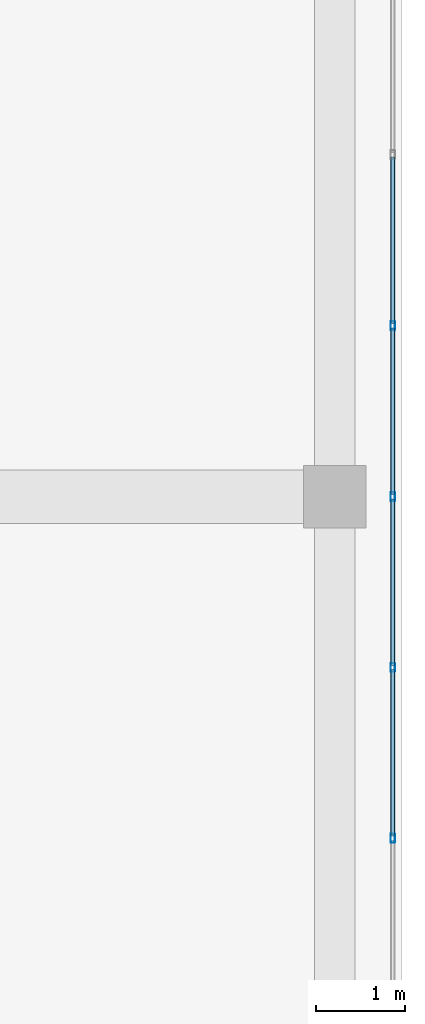
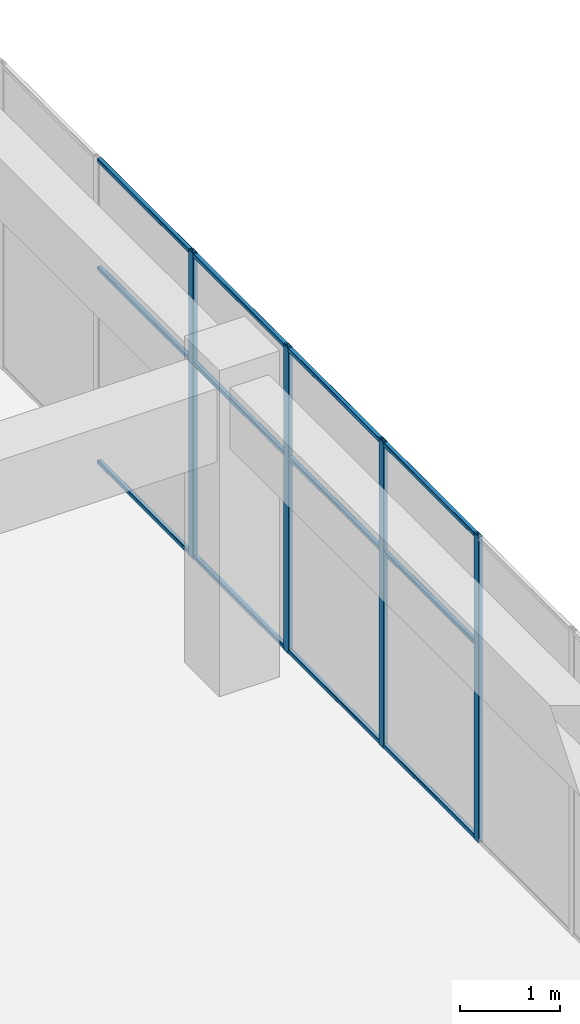
# One storey, part 27 of 49: 16 members, 1 element without a shape of its own.
"""IFC4 building model written with IfcOpenShell, lengths in metres."""

from ifc_helpers import new_model, si_unit, direction, frame, origin, origin_2d, place, context, subcontext, project, spatial, hollow_rectangle, extrude, material, layer, layer_set, material_profile, profile_set, type_object, element, aggregate, save


model = new_model("IFC4")

# Units and contexts
model_context = context("Model", 3, precision=1e-05, world=origin(), true_north=direction((0.0, 1.0)))
body_context = subcontext(model_context, "Body", "Model", "MODEL_VIEW")
ifc_project = project(units=[si_unit("LENGTHUNIT", "METRE"), si_unit("AREAUNIT", "SQUARE_METRE"), si_unit("VOLUMEUNIT", "CUBIC_METRE"), si_unit("PLANEANGLEUNIT", "RADIAN"), si_unit("MASSUNIT", "GRAM", prefix="KILO")], contexts=[model_context])

# Site, building, storey
site_placement = place(None, origin())
site = spatial("IfcSite", under=ifc_project, at=site_placement, CompositionType="ELEMENT")
building_placement = place(site_placement, origin())
building = spatial("IfcBuilding", under=site, at=building_placement, Name="Tuart Plaza Theatre", CompositionType="ELEMENT")
storey_placement = place(building_placement, frame((0.0, 0.0, 29.5)))
storey = spatial("IfcBuildingStorey", under=building, at=storey_placement, Name="L07", CompositionType="ELEMENT", Elevation=29.5)

# Curtain wall, members
ifc_material_1 = material(Name="Aluminium and glass", Category="aluminium")
ifc_layer = layer(ifc_material_1, 0.10009765625)
ifc_layer_set = layer_set([ifc_layer], Name="CURTAIN WALL 2000 module")
curtain_wall_type = type_object("IfcCurtainWallType", Name="CURTAIN WALL 2000 module", PredefinedType="NOTDEFINED", material=ifc_layer_set)
curtain_wall_placement = place(storey_placement, origin())
curtain_wall = element("IfcCurtainWall", 1, at=curtain_wall_placement, inside=storey, type_object=curtain_wall_type, Name="CW92", PredefinedType="NOTDEFINED")
ifc_material_2 = material(Name="Aluminium 6063-T5", Category="aluminium")
ifc_material_profile_1 = material_profile(ifc_material_2, hollow_rectangle(XDim=0.050048828125, YDim=0.10009765625, WallThickness=0.00390625, InnerFilletRadius=0.00390625, OuterFilletRadius=0.008056640625, at=origin_2d()), Name="RHS 100x50x4")
ifc_profile_set_1 = profile_set([ifc_material_profile_1], Name="Aluminium 6063-T5")
member_type_1 = type_object("IfcMemberType", Name="MULLION RHS 100x50x4", PredefinedType="MULLION", material=ifc_profile_set_1)
member_1_placement = place(storey_placement, frame((150.64990234375, 70.179931640625, 0.0), z_axis=(0.0, 0.0, 1.0), x_axis=(-1.0, 0.0, 0.0)))
member_1 = element("IfcMember", 2, at=member_1_placement, type_object=member_type_1, Name="CW92 mullion 4", PredefinedType="MULLION", context=body_context, shape_type="SweptSolid", body=[
    extrude(hollow_rectangle(XDim=0.050048828125, YDim=0.10009765625, WallThickness=0.00390625, InnerFilletRadius=0.00390625, OuterFilletRadius=0.008056640625, at=origin_2d()), origin(), (0.0, 0.0, 1.0), 3.75),
])
member_2_placement = place(storey_placement, frame((150.64990234375, 72.090087890625, 0.0), z_axis=(0.0, 0.0, 1.0), x_axis=(-1.0, 0.0, 0.0)))
member_2 = element("IfcMember", 3, at=member_2_placement, type_object=member_type_1, Name="CW92 mullion 5", PredefinedType="MULLION", context=body_context, shape_type="SweptSolid", body=[
    extrude(hollow_rectangle(XDim=0.050048828125, YDim=0.10009765625, WallThickness=0.00390625, InnerFilletRadius=0.00390625, OuterFilletRadius=0.008056640625, at=origin_2d()), origin(), (0.0, 0.0, 1.0), 3.75),
])
member_3_placement = place(storey_placement, frame((150.64990234375, 74.0, 0.0), z_axis=(0.0, 0.0, 1.0), x_axis=(-1.0, 0.0, 0.0)))
member_3 = element("IfcMember", 4, at=member_3_placement, type_object=member_type_1, Name="CW92 mullion 6", PredefinedType="MULLION", context=body_context, shape_type="SweptSolid", body=[
    extrude(hollow_rectangle(XDim=0.050048828125, YDim=0.10009765625, WallThickness=0.00390625, InnerFilletRadius=0.00390625, OuterFilletRadius=0.008056640625, at=origin_2d()), origin(), (0.0, 0.0, 1.0), 3.75),
])
member_4_placement = place(storey_placement, frame((150.64990234375, 75.909912109375, 0.0), z_axis=(0.0, 0.0, 1.0), x_axis=(-1.0, 0.0, 0.0)))
member_4 = element("IfcMember", 5, at=member_4_placement, type_object=member_type_1, Name="CW92 mullion 7", PredefinedType="MULLION", context=body_context, shape_type="SweptSolid", body=[
    extrude(hollow_rectangle(XDim=0.050048828125, YDim=0.10009765625, WallThickness=0.00390625, InnerFilletRadius=0.00390625, OuterFilletRadius=0.008056640625, at=origin_2d()), origin(), (0.0, 0.0, 1.0), 3.75),
])
ifc_material_3 = material(Name="Aluminium 6063-T5", Category="aluminium")
ifc_material_profile_2 = material_profile(ifc_material_3, hollow_rectangle(XDim=0.050048828125, YDim=0.050048828125, WallThickness=0.00390625, InnerFilletRadius=0.00390625, OuterFilletRadius=0.008056640625, at=origin_2d()), Name="RHS 50x50x4")
ifc_profile_set_2 = profile_set([ifc_material_profile_2], Name="Aluminium 6063-T5")
member_type_2 = type_object("IfcMemberType", Name="TRANSOM RHS 50x50x4", PredefinedType="USERDEFINED", material=ifc_profile_set_2)
member_5_placement = place(storey_placement, frame((150.64990234375, 70.205078125, 0.02490234375), z_axis=(0.0, 1.0, 0.0), x_axis=(-1.0, 0.0, 0.0)))
member_5 = element("IfcMember", 6, at=member_5_placement, type_object=member_type_2, Name="CW92 transom 4.1", ObjectType="TRANSOM", PredefinedType="USERDEFINED", context=body_context, shape_type="SweptSolid", body=[
    extrude(hollow_rectangle(XDim=0.050048828125, YDim=0.050048828125, WallThickness=0.00390625, InnerFilletRadius=0.00390625, OuterFilletRadius=0.008056640625, at=origin_2d()), origin(), (0.0, 0.0, 1.0), 1.85986328125),
])
member_6_placement = place(storey_placement, frame((150.64990234375, 70.205078125, 2.39990234375), z_axis=(0.0, 1.0, 0.0), x_axis=(-1.0, 0.0, 0.0)))
member_6 = element("IfcMember", 7, at=member_6_placement, type_object=member_type_2, Name="CW92 transom 4.2", ObjectType="TRANSOM", PredefinedType="USERDEFINED", context=body_context, shape_type="SweptSolid", body=[
    extrude(hollow_rectangle(XDim=0.050048828125, YDim=0.050048828125, WallThickness=0.00390625, InnerFilletRadius=0.00390625, OuterFilletRadius=0.008056640625, at=origin_2d()), origin(), (0.0, 0.0, 1.0), 1.85986328125),
])
member_7_placement = place(storey_placement, frame((150.64990234375, 70.205078125, 3.72509765625), z_axis=(0.0, 1.0, 0.0), x_axis=(-1.0, 0.0, 0.0)))
member_7 = element("IfcMember", 8, at=member_7_placement, type_object=member_type_2, Name="CW92 transom 4.3", ObjectType="TRANSOM", PredefinedType="USERDEFINED", context=body_context, shape_type="SweptSolid", body=[
    extrude(hollow_rectangle(XDim=0.050048828125, YDim=0.050048828125, WallThickness=0.00390625, InnerFilletRadius=0.00390625, OuterFilletRadius=0.008056640625, at=origin_2d()), origin(), (0.0, 0.0, 1.0), 1.85986328125),
])
member_8_placement = place(storey_placement, frame((150.64990234375, 72.114990234375, 0.02490234375), z_axis=(0.0, 1.0, 0.0), x_axis=(-1.0, 0.0, 0.0)))
member_8 = element("IfcMember", 9, at=member_8_placement, type_object=member_type_2, Name="CW92 transom 5.1", ObjectType="TRANSOM", PredefinedType="USERDEFINED", context=body_context, shape_type="SweptSolid", body=[
    extrude(hollow_rectangle(XDim=0.050048828125, YDim=0.050048828125, WallThickness=0.00390625, InnerFilletRadius=0.00390625, OuterFilletRadius=0.008056640625, at=origin_2d()), origin(), (0.0, 0.0, 1.0), 1.860107421875),
])
member_9_placement = place(storey_placement, frame((150.64990234375, 72.114990234375, 2.39990234375), z_axis=(0.0, 1.0, 0.0), x_axis=(-1.0, 0.0, 0.0)))
member_9 = element("IfcMember", 10, at=member_9_placement, type_object=member_type_2, Name="CW92 transom 5.2", ObjectType="TRANSOM", PredefinedType="USERDEFINED", context=body_context, shape_type="SweptSolid", body=[
    extrude(hollow_rectangle(XDim=0.050048828125, YDim=0.050048828125, WallThickness=0.00390625, InnerFilletRadius=0.00390625, OuterFilletRadius=0.008056640625, at=origin_2d()), origin(), (0.0, 0.0, 1.0), 1.860107421875),
])
member_10_placement = place(storey_placement, frame((150.64990234375, 72.114990234375, 3.72509765625), z_axis=(0.0, 1.0, 0.0), x_axis=(-1.0, 0.0, 0.0)))
member_10 = element("IfcMember", 11, at=member_10_placement, type_object=member_type_2, Name="CW92 transom 5.3", ObjectType="TRANSOM", PredefinedType="USERDEFINED", context=body_context, shape_type="SweptSolid", body=[
    extrude(hollow_rectangle(XDim=0.050048828125, YDim=0.050048828125, WallThickness=0.00390625, InnerFilletRadius=0.00390625, OuterFilletRadius=0.008056640625, at=origin_2d()), origin(), (0.0, 0.0, 1.0), 1.860107421875),
])
member_11_placement = place(storey_placement, frame((150.64990234375, 74.02490234375, 0.02490234375), z_axis=(0.0, 1.0, 0.0), x_axis=(-1.0, 0.0, 0.0)))
member_11 = element("IfcMember", 12, at=member_11_placement, type_object=member_type_2, Name="CW92 transom 6.1", ObjectType="TRANSOM", PredefinedType="USERDEFINED", context=body_context, shape_type="SweptSolid", body=[
    extrude(hollow_rectangle(XDim=0.050048828125, YDim=0.050048828125, WallThickness=0.00390625, InnerFilletRadius=0.00390625, OuterFilletRadius=0.008056640625, at=origin_2d()), origin(), (0.0, 0.0, 1.0), 1.860107421875),
])
member_12_placement = place(storey_placement, frame((150.64990234375, 74.02490234375, 2.39990234375), z_axis=(0.0, 1.0, 0.0), x_axis=(-1.0, 0.0, 0.0)))
member_12 = element("IfcMember", 13, at=member_12_placement, type_object=member_type_2, Name="CW92 transom 6.2", ObjectType="TRANSOM", PredefinedType="USERDEFINED", context=body_context, shape_type="SweptSolid", body=[
    extrude(hollow_rectangle(XDim=0.050048828125, YDim=0.050048828125, WallThickness=0.00390625, InnerFilletRadius=0.00390625, OuterFilletRadius=0.008056640625, at=origin_2d()), origin(), (0.0, 0.0, 1.0), 1.860107421875),
])
member_13_placement = place(storey_placement, frame((150.64990234375, 74.02490234375, 3.72509765625), z_axis=(0.0, 1.0, 0.0), x_axis=(-1.0, 0.0, 0.0)))
member_13 = element("IfcMember", 14, at=member_13_placement, type_object=member_type_2, Name="CW92 transom 6.3", ObjectType="TRANSOM", PredefinedType="USERDEFINED", context=body_context, shape_type="SweptSolid", body=[
    extrude(hollow_rectangle(XDim=0.050048828125, YDim=0.050048828125, WallThickness=0.00390625, InnerFilletRadius=0.00390625, OuterFilletRadius=0.008056640625, at=origin_2d()), origin(), (0.0, 0.0, 1.0), 1.860107421875),
])
member_14_placement = place(storey_placement, frame((150.64990234375, 75.93505859375, 0.02490234375), z_axis=(0.0, 1.0, 0.0), x_axis=(-1.0, 0.0, 0.0)))
member_14 = element("IfcMember", 15, at=member_14_placement, type_object=member_type_2, Name="CW92 transom 7.1", ObjectType="TRANSOM", PredefinedType="USERDEFINED", context=body_context, shape_type="SweptSolid", body=[
    extrude(hollow_rectangle(XDim=0.050048828125, YDim=0.050048828125, WallThickness=0.00390625, InnerFilletRadius=0.00390625, OuterFilletRadius=0.008056640625, at=origin_2d()), origin(), (0.0, 0.0, 1.0), 1.85986328125),
])
member_15_placement = place(storey_placement, frame((150.64990234375, 75.93505859375, 2.39990234375), z_axis=(0.0, 1.0, 0.0), x_axis=(-1.0, 0.0, 0.0)))
member_15 = element("IfcMember", 16, at=member_15_placement, type_object=member_type_2, Name="CW92 transom 7.2", ObjectType="TRANSOM", PredefinedType="USERDEFINED", context=body_context, shape_type="SweptSolid", body=[
    extrude(hollow_rectangle(XDim=0.050048828125, YDim=0.050048828125, WallThickness=0.00390625, InnerFilletRadius=0.00390625, OuterFilletRadius=0.008056640625, at=origin_2d()), origin(), (0.0, 0.0, 1.0), 1.85986328125),
])
member_16_placement = place(storey_placement, frame((150.64990234375, 75.93505859375, 3.72509765625), z_axis=(0.0, 1.0, 0.0), x_axis=(-1.0, 0.0, 0.0)))
member_16 = element("IfcMember", 17, at=member_16_placement, type_object=member_type_2, Name="CW92 transom 7.3", ObjectType="TRANSOM", PredefinedType="USERDEFINED", context=body_context, shape_type="SweptSolid", body=[
    extrude(hollow_rectangle(XDim=0.050048828125, YDim=0.050048828125, WallThickness=0.00390625, InnerFilletRadius=0.00390625, OuterFilletRadius=0.008056640625, at=origin_2d()), origin(), (0.0, 0.0, 1.0), 1.85986328125),
])
aggregate(curtain_wall, [member_1, member_2, member_3, member_4, member_5, member_6, member_7, member_8, member_9, member_10, member_11, member_12, member_13, member_14, member_15, member_16])

save(model, "model.ifc")
